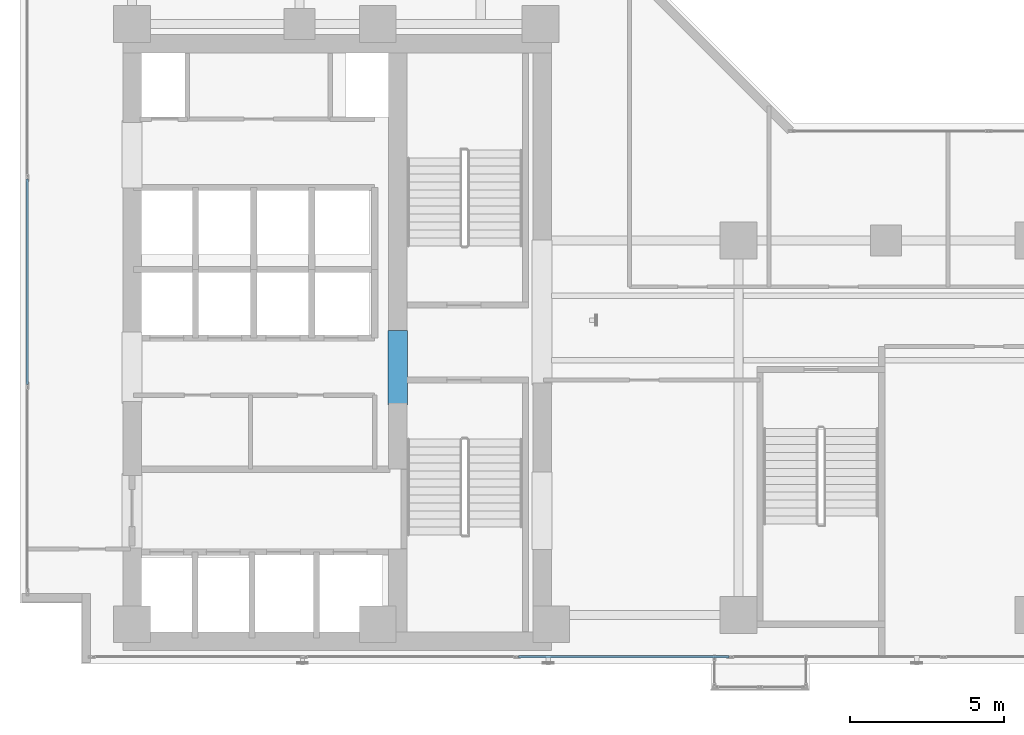
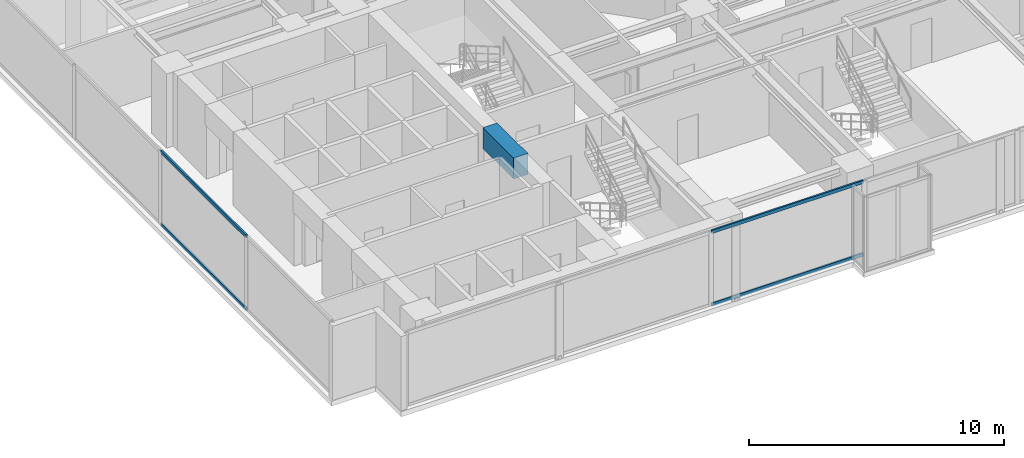
# One storey, part 3 of 24: 4 members, 1 beam, 2 elements without a shape of their own.
"""IFC4 building model written with IfcOpenShell, lengths in metres."""

import ifcopenshell
import ifcopenshell.guid

model = None  # the IFC model being written
_history = None  # IfcOwnerHistory: only IFC2X3 demands one
_inside = {}  # id of a spatial element -> (the spatial element, [elements in it])
_under = {}  # id of a project, library or spatial element -> (it, [spatial elements below it])
_declared = {}  # id of a project -> (the project, [libraries it declares])
_typed = {}  # id of a type object -> (the type object, [elements of that type])
_made_of = {}  # id of a material, layer set ... -> (it, [elements and type objects made of it])


def new_model(schema):
    """Start an empty IFC model of exactly this schema.

    Asked for "IFC4X3", IfcOpenShell would pick the latest addendum, in which some entities
    have other attributes; the version numbers below select the first issue.
    IFC2X3 requires an IfcOwnerHistory on every rooted entity: one is made here for all.
    """
    global model, _history
    if schema == "IFC4X3":
        model = ifcopenshell.file(schema_version=(4, 3, 0, 0))
    else:
        model = ifcopenshell.file(schema=schema)
    _inside.clear()
    _under.clear()
    _declared.clear()
    _typed.clear()
    _made_of.clear()
    _history = None
    if model.schema == "IFC2X3":
        org = make("IfcOrganization", Name="unknown")
        user = make(
            "IfcPersonAndOrganization",
            ThePerson=make("IfcPerson", FamilyName="unknown"),
            TheOrganization=org,
        )
        app = make(
            "IfcApplication",
            ApplicationDeveloper=org,
            Version="unknown",
            ApplicationFullName="unknown",
            ApplicationIdentifier="unknown",
        )
        _history = make(
            "IfcOwnerHistory",
            OwningUser=user,
            OwningApplication=app,
            ChangeAction="ADDED",
            CreationDate=0,
        )
    return model


def make(cls, **values):
    """One entity of the class cls with the attributes given. An attribute that is None is left unset."""
    return model.create_entity(
        cls, **{name: value for name, value in values.items() if value is not None}
    )


def rooted(cls, **values):
    """An entity with a GlobalId (a new one), such as an element, a storey or a relation."""
    return make(cls, GlobalId=ifcopenshell.guid.new(), OwnerHistory=_history, **values)


def si_unit(unit_type, name, prefix=None):
    """IfcSIUnit, for example si_unit("LENGTHUNIT", "METRE", prefix="MILLI")."""
    return make("IfcSIUnit", UnitType=unit_type, Prefix=prefix, Name=name)


def assignment(units):
    """IfcUnitAssignment: the units of a project."""
    return None if units is None else make("IfcUnitAssignment", Units=units)


def point(xyz):
    """IfcCartesianPoint."""
    return None if xyz is None else make("IfcCartesianPoint", Coordinates=xyz)


def direction(xyz):
    """IfcDirection."""
    return None if xyz is None else make("IfcDirection", DirectionRatios=xyz)


def frame(location, z_axis=None, x_axis=None):
    """IfcAxis2Placement3D, a coordinate frame: its origin and axes. An axis left out is left unset."""
    return make(
        "IfcAxis2Placement3D",
        Location=point(location),
        Axis=direction(z_axis),
        RefDirection=direction(x_axis),
    )


def frame_2d(location, x_axis=None):
    """IfcAxis2Placement2D, a coordinate frame in the plane: its origin and x axis."""
    return make(
        "IfcAxis2Placement2D", Location=point(location), RefDirection=direction(x_axis)
    )


def origin():
    """The frame at (0, 0, 0) with its axes left unset."""
    return frame((0.0, 0.0, 0.0))


def origin_with_axes():
    """The frame at (0, 0, 0) with the z axis (0, 0, 1) and the x axis (1, 0, 0) written out."""
    return frame((0.0, 0.0, 0.0), z_axis=(0.0, 0.0, 1.0), x_axis=(1.0, 0.0, 0.0))


def origin_2d():
    """The frame at (0, 0) in the plane with its x axis left unset."""
    return frame_2d((0.0, 0.0))


def place(relative_to, where):
    """IfcLocalPlacement: puts the frame where relative to a parent placement (None: the world)."""
    return make(
        "IfcLocalPlacement", PlacementRelTo=relative_to, RelativePlacement=where
    )


def context(
    kind, dimensions, precision=None, world=None, true_north=None, identifier=None
):
    """IfcGeometricRepresentationContext, for example the 3D "Model" context."""
    return make(
        "IfcGeometricRepresentationContext",
        ContextIdentifier=identifier,
        ContextType=kind,
        CoordinateSpaceDimension=dimensions,
        Precision=precision,
        WorldCoordinateSystem=world,
        TrueNorth=true_north,
    )


def subcontext(parent, identifier, kind, view, scale=None):
    """IfcGeometricRepresentationSubContext, for example "Body" below "Model"."""
    return make(
        "IfcGeometricRepresentationSubContext",
        ContextIdentifier=identifier,
        ContextType=kind,
        ParentContext=parent,
        TargetScale=scale,
        TargetView=view,
    )


def project(units=None, contexts=None):
    """IfcProject with its units and contexts."""
    return rooted(
        "IfcProject",
        Name="project",
        RepresentationContexts=contexts,
        UnitsInContext=assignment(units),
    )


def spatial(cls, under=None, at=None, **own):
    """A site, building, storey or space (cls), placed at a placement, below another one or the project."""
    s = rooted(cls, ObjectPlacement=at, **own)
    if under is not None:
        _under.setdefault(under.id(), (under, []))[1].append(s)
    return s


def profile(cls, at=None, kind="AREA", **sizes):
    """A parametric profile (cls). Its sizes go by their IFC names, for example OverallWidth=200.0."""
    return make(cls, ProfileType=kind, Position=at, **sizes)


def rectangle(**sizes):
    """IfcRectangleProfileDef."""
    return profile("IfcRectangleProfileDef", **sizes)


def hollow_rectangle(**sizes):
    """IfcRectangleHollowProfileDef."""
    return profile("IfcRectangleHollowProfileDef", **sizes)


def extrude(swept, where, along, depth):
    """IfcExtrudedAreaSolid: the profile swept, set in the frame where, extruded along a direction by depth."""
    return make(
        "IfcExtrudedAreaSolid",
        SweptArea=swept,
        Position=where,
        ExtrudedDirection=direction(along),
        Depth=depth,
    )


def shape(context_of_items, identifier, shape_type, items):
    """IfcShapeRepresentation: the items that make up one representation, for example the "Body"."""
    return make(
        "IfcShapeRepresentation",
        ContextOfItems=context_of_items,
        RepresentationIdentifier=identifier,
        RepresentationType=shape_type,
        Items=items,
    )


def source(mapping_origin, context_of_items, identifier, shape_type, items):
    """IfcRepresentationMap: a shape defined once, which mapped items show again and again."""
    return make(
        "IfcRepresentationMap",
        MappingOrigin=mapping_origin,
        MappedRepresentation=shape(context_of_items, identifier, shape_type, items),
    )


def transform(
    local_origin,
    x_axis=None,
    y_axis=None,
    z_axis=None,
    scale=None,
    scale2=None,
    scale3=None,
    uniform=True,
):
    """IfcCartesianTransformationOperator3D, or its non-uniform kind. x_axis, y_axis, z_axis: its Axis1, 2, 3."""
    if uniform:
        return make(
            "IfcCartesianTransformationOperator3D",
            Axis1=direction(x_axis),
            Axis2=direction(y_axis),
            LocalOrigin=point(local_origin),
            Scale=scale,
            Axis3=direction(z_axis),
        )
    return make(
        "IfcCartesianTransformationOperator3DnonUniform",
        Axis1=direction(x_axis),
        Axis2=direction(y_axis),
        LocalOrigin=point(local_origin),
        Scale=scale,
        Axis3=direction(z_axis),
        Scale2=scale2,
        Scale3=scale3,
    )


def mapped(mapping_source, mapping_target):
    """IfcMappedItem: shows the shape of a source again, moved by a transform."""
    return make(
        "IfcMappedItem", MappingSource=mapping_source, MappingTarget=mapping_target
    )


def material(Name=None, Category=None):
    """IfcMaterial."""
    return make("IfcMaterial", Name=Name, Category=Category)


def layer(
    of_material, thickness, ventilated=None, Name=None, Category=None, Priority=None
):
    """IfcMaterialLayer: one layer of a wall or slab, of a material (None: an air gap)."""
    return make(
        "IfcMaterialLayer",
        Material=of_material,
        LayerThickness=thickness,
        IsVentilated=ventilated,
        Name=Name,
        Category=Category,
        Priority=Priority,
    )


def layer_set(layers, Name=None):
    """IfcMaterialLayerSet."""
    return make("IfcMaterialLayerSet", MaterialLayers=layers, LayerSetName=Name)


def material_profile(
    of_material, cross_section, Name=None, Category=None, Priority=None
):
    """IfcMaterialProfile: a cross section and its material."""
    return make(
        "IfcMaterialProfile",
        Name=Name,
        Material=of_material,
        Profile=cross_section,
        Priority=Priority,
        Category=Category,
    )


def profile_set(profiles, Name=None, composite=None):
    """IfcMaterialProfileSet."""
    return make(
        "IfcMaterialProfileSet",
        Name=Name,
        MaterialProfiles=profiles,
        CompositeProfile=composite,
    )


def made_of(thing, what):
    """Note that an element or type object is made of a material, layer set ...; save() writes the relation."""
    if what is not None:
        _made_of.setdefault(what.id(), (what, []))[1].append(thing)
    return thing


def type_object(cls, material=None, **own):
    """A type object (cls), such as IfcWallType, which elements share."""
    return made_of(rooted(cls, **own), material)


def element(
    cls,
    number,
    at=None,
    inside=None,
    cuts=None,
    type_object=None,
    material=None,
    context=None,
    identifier="Body",
    shape_type=None,
    held_by="IfcProductDefinitionShape",
    body=None,
    shapes=None,
    **own,
):
    """One element of the class cls, such as IfcWall. Its Tag is "e" and its number.

    at: its placement. inside: the storey or other place that contains it. cuts: it is an
    opening in that element (IfcRelVoidsElement). A single representation is given by context,
    identifier, shape_type and body (its items); several are given by shapes. held_by: the class
    of the entity that holds the representations. save() writes the other relations.
    """
    e = rooted(cls, Tag="e%d" % number, ObjectPlacement=at, **own)
    if body is not None:
        shapes = [shape(context, identifier, shape_type, body)]
    if shapes is not None:
        e.Representation = make(held_by, Representations=shapes)
    if inside is not None:
        _inside.setdefault(inside.id(), (inside, []))[1].append(e)
    if cuts is not None:
        rooted(
            "IfcRelVoidsElement", RelatingBuildingElement=cuts, RelatedOpeningElement=e
        )
    if type_object is not None:
        _typed.setdefault(type_object.id(), (type_object, []))[1].append(e)
    return made_of(e, material)


def aggregate(whole, parts):
    """IfcRelAggregates: a whole, such as a stair, and the parts it consists of."""
    return rooted("IfcRelAggregates", RelatingObject=whole, RelatedObjects=parts)


def save(model, path):
    """Write the relations noted so far, then the file.

    IfcRelAggregates (storeys below a building ...), IfcRelContainedInSpatialStructure (elements
    in a storey), IfcRelDefinesByType, IfcRelAssociatesMaterial and IfcRelDeclares: one each for
    every whole, place, type object, material and project.
    """
    for whole, parts in _under.values():
        aggregate(whole, parts)
    for where, things in _inside.values():
        rooted(
            "IfcRelContainedInSpatialStructure",
            RelatedElements=things,
            RelatingStructure=where,
        )
    for kind, things in _typed.values():
        rooted("IfcRelDefinesByType", RelatedObjects=things, RelatingType=kind)
    for what, things in _made_of.values():
        rooted("IfcRelAssociatesMaterial", RelatedObjects=things, RelatingMaterial=what)
    for by, libraries in _declared.values():
        rooted("IfcRelDeclares", RelatingContext=by, RelatedDefinitions=libraries)
    model.write(path)


model = new_model("IFC4")

# Units and contexts
model_context = context("Model", 3, precision=1e-05, world=origin(), true_north=direction((0.0, 1.0)))
body_context = subcontext(model_context, "Body", "Model", "MODEL_VIEW")
ifc_project = project(units=[si_unit("LENGTHUNIT", "METRE"), si_unit("AREAUNIT", "SQUARE_METRE"), si_unit("VOLUMEUNIT", "CUBIC_METRE"), si_unit("PLANEANGLEUNIT", "RADIAN"), si_unit("MASSUNIT", "GRAM", prefix="KILO")], contexts=[model_context])

# Site, building, storey
site_placement = place(None, origin())
site = spatial("IfcSite", under=ifc_project, at=site_placement, CompositionType="ELEMENT")
building_placement = place(site_placement, origin())
building = spatial("IfcBuilding", under=site, at=building_placement, Name="Kolvaren Waterfront Exchange", CompositionType="ELEMENT")
storey_placement = place(building_placement, frame((0.0, 0.0, 153.800048828125)))
storey = spatial("IfcBuildingStorey", under=building, at=storey_placement, Name="L39", CompositionType="ELEMENT", Elevation=153.800048828125)

# Beam
ifc_material_1 = material(Name="Concrete C60/75", Category="concrete")
ifc_material_profile_1 = material_profile(ifc_material_1, rectangle(XDim=0.64990234375, YDim=1.0, at=origin_2d()), Name="RC-CB-1000x650")
ifc_profile_set_1 = profile_set([ifc_material_profile_1], Name="Concrete C60/75")
beam_type = type_object("IfcBeamType", Name="STR-CB-1000", PredefinedType="SPANDREL", material=ifc_profile_set_1)
beam_placement = place(storey_placement, frame((16.10009765625, 12.0400390625, 3.06005859375), z_axis=(0.0, 1.0, 0.0), x_axis=(-1.0, 0.0, 0.0)))
element("IfcBeam", 1, at=beam_placement, inside=storey, type_object=beam_type, Name="L39 core coupling beam 6", PredefinedType="SPANDREL", context=body_context, shape_type="SweptSolid", body=[
    extrude(rectangle(XDim=0.64990234375, YDim=1.0, at=origin_2d()), origin(), (0.0, 0.0, 1.0), 2.419921875),
])

# Curtain wall, members
ifc_material_2 = material(Name="Anodised bronze aluminium 6063-T6", Category="aluminium")
ifc_layer_1 = layer(ifc_material_2, 0.219970703125, Name="Anodised bronze aluminium 6063-T6")
ifc_layer_set_1 = layer_set([ifc_layer_1], Name="Anodised bronze aluminium 6063-T6")
curtain_wall_type_1 = type_object("IfcCurtainWallType", Name="ARC-CW-SYS1", PredefinedType="USERDEFINED", material=ifc_layer_set_1)
curtain_wall_1_placement = place(storey_placement, origin())
curtain_wall_1 = element("IfcCurtainWall", 2, at=curtain_wall_1_placement, inside=storey, type_object=curtain_wall_type_1, Name="L39 stick curtain wall CW1 (CW-L39-S)", ObjectType="STICK CURTAIN WALL", PredefinedType="USERDEFINED")
ifc_material_3 = material(Name="Anodised aluminium 6063-T6", Category="aluminium")
ifc_material_profile_2 = material_profile(ifc_material_3, hollow_rectangle(XDim=0.074951171875, YDim=0.159912109375, WallThickness=0.00439453125, at=origin_2d()), Name="ALU-TRN-160x75x4.5")
ifc_profile_set_2 = profile_set([ifc_material_profile_2], Name="Anodised aluminium 6063-T6")
member_type = type_object("IfcMemberType", Name="ARC-CWT-160", PredefinedType="USERDEFINED", material=ifc_profile_set_2)
shared_shape_1 = source(origin_with_axes(), body_context, "Body", "SweptSolid", [
    extrude(hollow_rectangle(XDim=0.074951171875, YDim=0.159912109375, WallThickness=0.00439453125, at=origin_2d()), origin(), (0.0, 0.0, 1.0), 6.863037109375),
])
member_1_placement = place(storey_placement, frame((20.025634765625, 3.840087890625, 0.037353515625), z_axis=(1.0, 0.0, 0.0), x_axis=(0.0, 1.0, 0.0)))
member_1 = element("IfcMember", 3, at=member_1_placement, type_object=member_type, Name="CW1 transom 3.1", ObjectType="TRANSOM", PredefinedType="USERDEFINED", context=body_context, shape_type="MappedRepresentation", body=[
    mapped(shared_shape_1, transform((0.0, 0.0, 0.0), x_axis=(1.0, 0.0, 0.0), y_axis=(0.0, 1.0, 0.0), z_axis=(0.0, 0.0, 1.0), scale=1.0)),
])
member_2_placement = place(storey_placement, frame((20.025634765625, 3.840087890625, 3.5224609375), z_axis=(1.0, 0.0, 0.0), x_axis=(0.0, 1.0, 0.0)))
member_2 = element("IfcMember", 4, at=member_2_placement, type_object=member_type, Name="CW1 transom 3.2", ObjectType="TRANSOM", PredefinedType="USERDEFINED", context=body_context, shape_type="MappedRepresentation", body=[
    mapped(shared_shape_1, transform((0.0, 0.0, 0.0), x_axis=(1.0, 0.0, 0.0), y_axis=(0.0, 1.0, 0.0), z_axis=(0.0, 0.0, 1.0), scale=1.0)),
])
aggregate(curtain_wall_1, [member_1, member_2])

ifc_layer_2 = layer(ifc_material_3, 0.219970703125, Name="Anodised aluminium 6063-T6")
ifc_layer_set_2 = layer_set([ifc_layer_2], Name="Anodised aluminium 6063-T6")
curtain_wall_type_2 = type_object("IfcCurtainWallType", Name="ARC-CW-SYS2", PredefinedType="USERDEFINED", material=ifc_layer_set_2)
curtain_wall_2_placement = place(storey_placement, origin())
curtain_wall_2 = element("IfcCurtainWall", 5, at=curtain_wall_2_placement, inside=storey, type_object=curtain_wall_type_2, Name="L39 stick curtain wall CW2 (CW-L39-W)", ObjectType="STICK CURTAIN WALL", PredefinedType="USERDEFINED")
shared_shape_2 = source(origin_with_axes(), body_context, "Body", "SweptSolid", [
    extrude(hollow_rectangle(XDim=0.074951171875, YDim=0.159912109375, WallThickness=0.00439453125, at=origin_2d()), origin(), (0.0, 0.0, 1.0), 6.6865234375),
])
member_3_placement = place(storey_placement, frame((4.0400390625, 12.706787109375, 0.037353515625), z_axis=(0.0, 1.0, 0.0), x_axis=(-1.0, 0.0, 0.0)))
member_3 = element("IfcMember", 6, at=member_3_placement, type_object=member_type, Name="CW2 transom 2.1", ObjectType="TRANSOM", PredefinedType="USERDEFINED", context=body_context, shape_type="MappedRepresentation", body=[
    mapped(shared_shape_2, transform((0.0, 0.0, 0.0), x_axis=(1.0, 0.0, 0.0), y_axis=(0.0, 1.0, 0.0), z_axis=(0.0, 0.0, 1.0), scale=1.0)),
])
member_4_placement = place(storey_placement, frame((4.0400390625, 12.706787109375, 3.5224609375), z_axis=(0.0, 1.0, 0.0), x_axis=(-1.0, 0.0, 0.0)))
member_4 = element("IfcMember", 7, at=member_4_placement, type_object=member_type, Name="CW2 transom 2.2", ObjectType="TRANSOM", PredefinedType="USERDEFINED", context=body_context, shape_type="MappedRepresentation", body=[
    mapped(shared_shape_2, transform((0.0, 0.0, 0.0), x_axis=(1.0, 0.0, 0.0), y_axis=(0.0, 1.0, 0.0), z_axis=(0.0, 0.0, 1.0), scale=1.0)),
])
aggregate(curtain_wall_2, [member_3, member_4])

save(model, "model.ifc")
